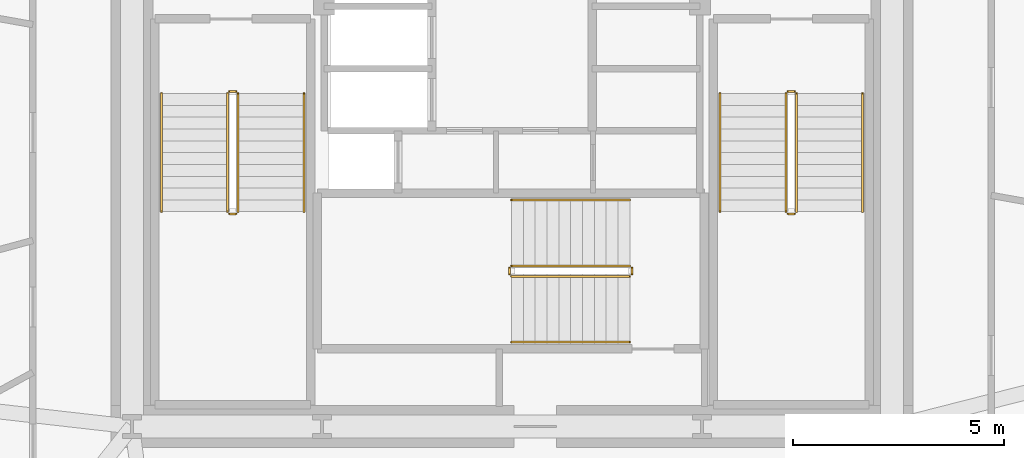
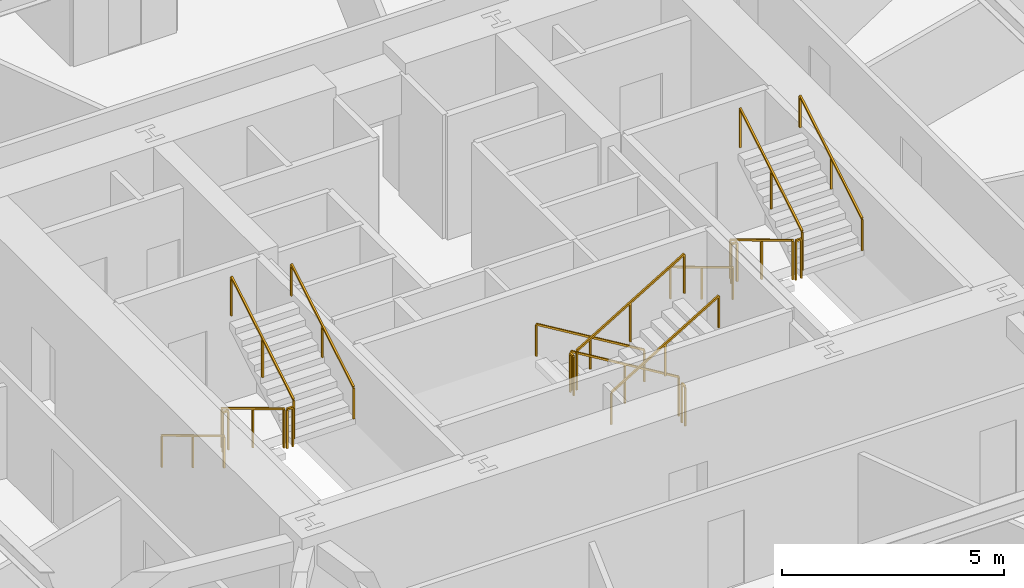
# One storey, part 9 of 10: 18 railings.
"""IFC4 building model written with IfcOpenShell, lengths in metres."""

from ifc_helpers import new_model, si_unit, direction, frame, origin, origin_2d, place, context, subcontext, project, spatial, rectangle, extrude, material, layer, layer_set, type_object, element, save


model = new_model("IFC4")

# Units and contexts
model_context = context("Model", 3, precision=1e-05, world=origin(), true_north=direction((0.0, 1.0)))
body_context = subcontext(model_context, "Body", "Model", "MODEL_VIEW")
ifc_project = project(units=[si_unit("LENGTHUNIT", "METRE"), si_unit("AREAUNIT", "SQUARE_METRE"), si_unit("VOLUMEUNIT", "CUBIC_METRE"), si_unit("PLANEANGLEUNIT", "RADIAN"), si_unit("MASSUNIT", "GRAM", prefix="KILO")], contexts=[model_context])

# Site, building, storey
site_placement = place(None, origin())
site = spatial("IfcSite", under=ifc_project, at=site_placement, CompositionType="ELEMENT")
building_placement = place(site_placement, origin())
building = spatial("IfcBuilding", under=site, at=building_placement, Name="Kilnhurst Terrace Hotel", CompositionType="ELEMENT")
storey_placement = place(building_placement, frame((0.0, 0.0, 63.800048828125)))
storey = spatial("IfcBuildingStorey", under=building, at=storey_placement, Name="L14", CompositionType="ELEMENT", Elevation=63.800048828125)

# Railings
ifc_material_1 = material(Name="Powder-Coated Steel ASTM A500 Grade B", Category="steel")
ifc_layer_1 = layer(ifc_material_1, 0.050048828125, Name="Powder-Coated Steel ASTM A500 Grade B")
ifc_layer_set_1 = layer_set([ifc_layer_1], Name="Powder-Coated Steel ASTM A500 Grade B")
railing_type_1 = type_object("IfcRailingType", Name="RLG-ST-GRD-1100", PredefinedType="GUARDRAIL", material=ifc_layer_set_1)
railing_1_placement = place(storey_placement, frame((-6.739990234375, 0.389892578125, 0.168212890625)))
element("IfcRailing", 1, at=railing_1_placement, inside=storey, type_object=railing_type_1, Name="L14 ST-1 stair guard 1", PredefinedType="GUARDRAIL", context=body_context, shape_type="SweptSolid", body=[
    extrude(rectangle(XDim=0.048095703125, YDim=0.048095703125, at=origin_2d()), frame((0.0, 0.0, 1.076171875), z_axis=(0.0, -0.857255387014, 0.514891446264), x_axis=(1.0, 0.0, 0.0)), (0.0, 0.0, 1.0), 3.26611328125),
    extrude(rectangle(XDim=0.0419921875, YDim=0.0419921875, at=origin_2d()), origin(), (0.0, 0.0, 1.0), 1.052001953125),
    extrude(rectangle(XDim=0.0419921875, YDim=0.0419921875, at=origin_2d()), frame((0.0, -1.39990234375, 0.8408203125)), (0.0, 0.0, 1.0), 1.052001953125),
    extrude(rectangle(XDim=0.0419921875, YDim=0.0419921875, at=origin_2d()), frame((0.0, -2.7998046875, 1.681640625)), (0.0, 0.0, 1.0), 1.052001953125),
])
railing_2_placement = place(storey_placement, frame((-6.68994140625, -2.4599609375, 1.849853515625)))
element("IfcRailing", 2, at=railing_2_placement, inside=storey, type_object=railing_type_1, Name="L14 ST-1 stair guard 2", PredefinedType="GUARDRAIL", context=body_context, shape_type="SweptSolid", body=[
    extrude(rectangle(XDim=0.048095703125, YDim=0.048095703125, at=origin_2d()), frame((0.0, 0.0, 1.076171875), z_axis=(1.0, 0.0, 0.0), x_axis=(0.0, 1.0, 0.0)), (0.0, 0.0, 1.0), 0.14990234375),
    extrude(rectangle(XDim=0.0419921875, YDim=0.0419921875, at=origin_2d()), origin(), (0.0, 0.0, 1.0), 1.052001953125),
    extrude(rectangle(XDim=0.0419921875, YDim=0.0419921875, at=origin_2d()), frame((0.14990234375, 0.0, 0.0)), (0.0, 0.0, 1.0), 1.052001953125),
])
railing_3_placement = place(storey_placement, frame((-6.489990234375, -2.409912109375, 2.01806640625)))
element("IfcRailing", 3, at=railing_3_placement, inside=storey, type_object=railing_type_1, Name="L14 ST-1 stair guard 3", PredefinedType="GUARDRAIL", context=body_context, shape_type="SweptSolid", body=[
    extrude(rectangle(XDim=0.048095703125, YDim=0.048095703125, at=origin_2d()), frame((0.0, 0.0, 1.076171875), z_axis=(0.0, 0.857222391501, 0.514946377315), x_axis=(-1.0, 0.0, 0.0)), (0.0, 0.0, 1.0), 3.26611328125),
    extrude(rectangle(XDim=0.0419921875, YDim=0.0419921875, at=origin_2d()), origin(), (0.0, 0.0, 1.0), 1.052001953125),
    extrude(rectangle(XDim=0.0419921875, YDim=0.0419921875, at=origin_2d()), frame((0.0, 1.39990234375, 0.8408203125)), (0.0, 0.0, 1.0), 1.052001953125),
    extrude(rectangle(XDim=0.0419921875, YDim=0.0419921875, at=origin_2d()), frame((0.0, 2.7998046875, 1.681884765625)), (0.0, 0.0, 1.0), 1.052001953125),
])
railing_4_placement = place(storey_placement, frame((-6.68994140625, 0.43994140625, 0.0)))
element("IfcRailing", 4, at=railing_4_placement, inside=storey, type_object=railing_type_1, Name="L14 ST-1 stair guard 4", PredefinedType="GUARDRAIL", context=body_context, shape_type="SweptSolid", body=[
    extrude(rectangle(XDim=0.048095703125, YDim=0.048095703125, at=origin_2d()), frame((0.0, 0.0, 1.076171875), z_axis=(1.0, 0.0, 0.0), x_axis=(0.0, 1.0, 0.0)), (0.0, 0.0, 1.0), 0.14990234375),
    extrude(rectangle(XDim=0.0419921875, YDim=0.0419921875, at=origin_2d()), origin(), (0.0, 0.0, 1.0), 1.052001953125),
    extrude(rectangle(XDim=0.0419921875, YDim=0.0419921875, at=origin_2d()), frame((0.14990234375, 0.0, 0.0)), (0.0, 0.0, 1.0), 1.052001953125),
])
railing_5_placement = place(storey_placement, frame((6.489990234375, 0.389892578125, 0.168212890625)))
element("IfcRailing", 5, at=railing_5_placement, inside=storey, type_object=railing_type_1, Name="L14 ST-2 stair guard 1", PredefinedType="GUARDRAIL", context=body_context, shape_type="SweptSolid", body=[
    extrude(rectangle(XDim=0.048095703125, YDim=0.048095703125, at=origin_2d()), frame((0.0, 0.0, 1.076171875), z_axis=(0.0, -0.857255387014, 0.514891446264), x_axis=(1.0, 0.0, 0.0)), (0.0, 0.0, 1.0), 3.26611328125),
    extrude(rectangle(XDim=0.0419921875, YDim=0.0419921875, at=origin_2d()), origin(), (0.0, 0.0, 1.0), 1.052001953125),
    extrude(rectangle(XDim=0.0419921875, YDim=0.0419921875, at=origin_2d()), frame((0.0, -1.39990234375, 0.8408203125)), (0.0, 0.0, 1.0), 1.052001953125),
    extrude(rectangle(XDim=0.0419921875, YDim=0.0419921875, at=origin_2d()), frame((0.0, -2.7998046875, 1.681640625)), (0.0, 0.0, 1.0), 1.052001953125),
])
railing_6_placement = place(storey_placement, frame((6.5400390625, -2.4599609375, 1.849853515625)))
element("IfcRailing", 6, at=railing_6_placement, inside=storey, type_object=railing_type_1, Name="L14 ST-2 stair guard 2", PredefinedType="GUARDRAIL", context=body_context, shape_type="SweptSolid", body=[
    extrude(rectangle(XDim=0.048095703125, YDim=0.048095703125, at=origin_2d()), frame((0.0, 0.0, 1.076171875), z_axis=(1.0, 0.0, 0.0), x_axis=(0.0, 1.0, 0.0)), (0.0, 0.0, 1.0), 0.14990234375),
    extrude(rectangle(XDim=0.0419921875, YDim=0.0419921875, at=origin_2d()), origin(), (0.0, 0.0, 1.0), 1.052001953125),
    extrude(rectangle(XDim=0.0419921875, YDim=0.0419921875, at=origin_2d()), frame((0.14990234375, 0.0, 0.0)), (0.0, 0.0, 1.0), 1.052001953125),
])
railing_7_placement = place(storey_placement, frame((6.739990234375, -2.409912109375, 2.01806640625)))
element("IfcRailing", 7, at=railing_7_placement, inside=storey, type_object=railing_type_1, Name="L14 ST-2 stair guard 3", PredefinedType="GUARDRAIL", context=body_context, shape_type="SweptSolid", body=[
    extrude(rectangle(XDim=0.048095703125, YDim=0.048095703125, at=origin_2d()), frame((0.0, 0.0, 1.076171875), z_axis=(0.0, 0.857222391501, 0.514946377315), x_axis=(-1.0, 0.0, 0.0)), (0.0, 0.0, 1.0), 3.26611328125),
    extrude(rectangle(XDim=0.0419921875, YDim=0.0419921875, at=origin_2d()), origin(), (0.0, 0.0, 1.0), 1.052001953125),
    extrude(rectangle(XDim=0.0419921875, YDim=0.0419921875, at=origin_2d()), frame((0.0, 1.39990234375, 0.8408203125)), (0.0, 0.0, 1.0), 1.052001953125),
    extrude(rectangle(XDim=0.0419921875, YDim=0.0419921875, at=origin_2d()), frame((0.0, 2.7998046875, 1.681884765625)), (0.0, 0.0, 1.0), 1.052001953125),
])
railing_8_placement = place(storey_placement, frame((6.5400390625, 0.43994140625, 0.0)))
element("IfcRailing", 8, at=railing_8_placement, inside=storey, type_object=railing_type_1, Name="L14 ST-2 stair guard 4", PredefinedType="GUARDRAIL", context=body_context, shape_type="SweptSolid", body=[
    extrude(rectangle(XDim=0.048095703125, YDim=0.048095703125, at=origin_2d()), frame((0.0, 0.0, 1.076171875), z_axis=(1.0, 0.0, 0.0), x_axis=(0.0, 1.0, 0.0)), (0.0, 0.0, 1.0), 0.14990234375),
    extrude(rectangle(XDim=0.0419921875, YDim=0.0419921875, at=origin_2d()), origin(), (0.0, 0.0, 1.0), 1.052001953125),
    extrude(rectangle(XDim=0.0419921875, YDim=0.0419921875, at=origin_2d()), frame((0.14990234375, 0.0, 0.0)), (0.0, 0.0, 1.0), 1.052001953125),
])
railing_9_placement = place(storey_placement, frame((2.7900390625, -3.68994140625, 0.168212890625)))
element("IfcRailing", 9, at=railing_9_placement, inside=storey, type_object=railing_type_1, Name="L14 ST-3 stair guard 1", PredefinedType="GUARDRAIL", context=body_context, shape_type="SweptSolid", body=[
    extrude(rectangle(XDim=0.048095703125, YDim=0.048095703125, at=origin_2d()), frame((0.0, 0.0, 1.076171875), z_axis=(-0.857275202839, 0.0, 0.514858452973), x_axis=(0.0, -1.0, 0.0)), (0.0, 0.0, 1.0), 3.26611328125),
    extrude(rectangle(XDim=0.0419921875, YDim=0.0419921875, at=origin_2d()), origin(), (0.0, 0.0, 1.0), 1.052001953125),
    extrude(rectangle(XDim=0.0419921875, YDim=0.0419921875, at=origin_2d()), frame((-1.39990234375, 0.0, 0.8408203125)), (0.0, 0.0, 1.0), 1.052001953125),
    extrude(rectangle(XDim=0.0419921875, YDim=0.0419921875, at=origin_2d()), frame((-2.800048828125, 0.0, 1.681640625)), (0.0, 0.0, 1.0), 1.052001953125),
])
railing_10_placement = place(storey_placement, frame((-0.06005859375, -3.739990234375, 1.849853515625)))
element("IfcRailing", 10, at=railing_10_placement, inside=storey, type_object=railing_type_1, Name="L14 ST-3 stair guard 2", PredefinedType="GUARDRAIL", context=body_context, shape_type="SweptSolid", body=[
    extrude(rectangle(XDim=0.048095703125, YDim=0.048095703125, at=origin_2d()), frame((0.0, 0.0, 1.076171875), z_axis=(0.0, -1.0, 0.0), x_axis=(1.0, 0.0, 0.0)), (0.0, 0.0, 1.0), 0.14990234375),
    extrude(rectangle(XDim=0.0419921875, YDim=0.0419921875, at=origin_2d()), origin(), (0.0, 0.0, 1.0), 1.052001953125),
    extrude(rectangle(XDim=0.0419921875, YDim=0.0419921875, at=origin_2d()), frame((0.0, -0.14990234375, 0.0)), (0.0, 0.0, 1.0), 1.052001953125),
])
railing_11_placement = place(storey_placement, frame((-0.010009765625, -3.93994140625, 2.01806640625)))
element("IfcRailing", 11, at=railing_11_placement, inside=storey, type_object=railing_type_1, Name="L14 ST-3 stair guard 3", PredefinedType="GUARDRAIL", context=body_context, shape_type="SweptSolid", body=[
    extrude(rectangle(XDim=0.048095703125, YDim=0.048095703125, at=origin_2d()), frame((0.0, 0.0, 1.076171875), z_axis=(0.857242210791, 0.0, 0.514913383045), x_axis=(0.0, 1.0, 0.0)), (0.0, 0.0, 1.0), 3.266357421875),
    extrude(rectangle(XDim=0.0419921875, YDim=0.0419921875, at=origin_2d()), origin(), (0.0, 0.0, 1.0), 1.052001953125),
    extrude(rectangle(XDim=0.0419921875, YDim=0.0419921875, at=origin_2d()), frame((1.39990234375, 0.0, 0.8408203125)), (0.0, 0.0, 1.0), 1.052001953125),
    extrude(rectangle(XDim=0.0419921875, YDim=0.0419921875, at=origin_2d()), frame((2.800048828125, 0.0, 1.681884765625)), (0.0, 0.0, 1.0), 1.052001953125),
])
railing_12_placement = place(storey_placement, frame((2.840087890625, -3.739990234375, 0.0)))
element("IfcRailing", 12, at=railing_12_placement, inside=storey, type_object=railing_type_1, Name="L14 ST-3 stair guard 4", PredefinedType="GUARDRAIL", context=body_context, shape_type="SweptSolid", body=[
    extrude(rectangle(XDim=0.048095703125, YDim=0.048095703125, at=origin_2d()), frame((0.0, 0.0, 1.076171875), z_axis=(0.0, -1.0, 0.0), x_axis=(1.0, 0.0, 0.0)), (0.0, 0.0, 1.0), 0.14990234375),
    extrude(rectangle(XDim=0.0419921875, YDim=0.0419921875, at=origin_2d()), origin(), (0.0, 0.0, 1.0), 1.052001953125),
    extrude(rectangle(XDim=0.0419921875, YDim=0.0419921875, at=origin_2d()), frame((0.0, -0.14990234375, 0.0)), (0.0, 0.0, 1.0), 1.052001953125),
])
ifc_material_2 = material(Name="Brushed Stainless Steel AISI 304", Category="steel")
ifc_layer_2 = layer(ifc_material_2, 0.048095703125, Name="Brushed Stainless Steel AISI 304")
ifc_layer_set_2 = layer_set([ifc_layer_2], Name="Brushed Stainless Steel AISI 304")
railing_type_2 = type_object("IfcRailingType", Name="RLG-ST-HRL-900", PredefinedType="HANDRAIL", material=ifc_layer_set_2)
railing_13_placement = place(storey_placement, frame((-8.300048828125, 0.389892578125, 0.168212890625)))
element("IfcRailing", 13, at=railing_13_placement, inside=storey, type_object=railing_type_2, Name="L14 ST-1 stair handrail 1", PredefinedType="HANDRAIL", context=body_context, shape_type="SweptSolid", body=[
    extrude(rectangle(XDim=0.048095703125, YDim=0.048095703125, at=origin_2d()), frame((0.0, 0.0, 0.8759765625), z_axis=(0.0, -0.857255387014, 0.514891446264), x_axis=(1.0, 0.0, 0.0)), (0.0, 0.0, 1.0), 3.26611328125),
    extrude(rectangle(XDim=0.0419921875, YDim=0.0419921875, at=origin_2d()), origin(), (0.0, 0.0, 1.0), 0.851806640625),
    extrude(rectangle(XDim=0.0419921875, YDim=0.0419921875, at=origin_2d()), frame((0.0, -1.39990234375, 0.8408203125)), (0.0, 0.0, 1.0), 0.851806640625),
    extrude(rectangle(XDim=0.0419921875, YDim=0.0419921875, at=origin_2d()), frame((0.0, -2.7998046875, 1.681640625)), (0.0, 0.0, 1.0), 0.851806640625),
])
railing_14_placement = place(storey_placement, frame((-4.929931640625, -2.409912109375, 2.01806640625)))
element("IfcRailing", 14, at=railing_14_placement, inside=storey, type_object=railing_type_2, Name="L14 ST-1 stair handrail 2", PredefinedType="HANDRAIL", context=body_context, shape_type="SweptSolid", body=[
    extrude(rectangle(XDim=0.048095703125, YDim=0.048095703125, at=origin_2d()), frame((0.0, 0.0, 0.8759765625), z_axis=(0.0, 0.857222391501, 0.514946377315), x_axis=(-1.0, 0.0, 0.0)), (0.0, 0.0, 1.0), 3.26611328125),
    extrude(rectangle(XDim=0.0419921875, YDim=0.0419921875, at=origin_2d()), origin(), (0.0, 0.0, 1.0), 0.851806640625),
    extrude(rectangle(XDim=0.0419921875, YDim=0.0419921875, at=origin_2d()), frame((0.0, 1.39990234375, 0.8408203125)), (0.0, 0.0, 1.0), 0.851806640625),
    extrude(rectangle(XDim=0.0419921875, YDim=0.0419921875, at=origin_2d()), frame((0.0, 2.7998046875, 1.681884765625)), (0.0, 0.0, 1.0), 0.851806640625),
])
railing_15_placement = place(storey_placement, frame((4.929931640625, 0.389892578125, 0.168212890625)))
element("IfcRailing", 15, at=railing_15_placement, inside=storey, type_object=railing_type_2, Name="L14 ST-2 stair handrail 1", PredefinedType="HANDRAIL", context=body_context, shape_type="SweptSolid", body=[
    extrude(rectangle(XDim=0.048095703125, YDim=0.048095703125, at=origin_2d()), frame((0.0, 0.0, 0.8759765625), z_axis=(0.0, -0.857255387014, 0.514891446264), x_axis=(1.0, 0.0, 0.0)), (0.0, 0.0, 1.0), 3.26611328125),
    extrude(rectangle(XDim=0.0419921875, YDim=0.0419921875, at=origin_2d()), origin(), (0.0, 0.0, 1.0), 0.851806640625),
    extrude(rectangle(XDim=0.0419921875, YDim=0.0419921875, at=origin_2d()), frame((0.0, -1.39990234375, 0.8408203125)), (0.0, 0.0, 1.0), 0.851806640625),
    extrude(rectangle(XDim=0.0419921875, YDim=0.0419921875, at=origin_2d()), frame((0.0, -2.7998046875, 1.681640625)), (0.0, 0.0, 1.0), 0.851806640625),
])
railing_16_placement = place(storey_placement, frame((8.300048828125, -2.409912109375, 2.01806640625)))
element("IfcRailing", 16, at=railing_16_placement, inside=storey, type_object=railing_type_2, Name="L14 ST-2 stair handrail 2", PredefinedType="HANDRAIL", context=body_context, shape_type="SweptSolid", body=[
    extrude(rectangle(XDim=0.048095703125, YDim=0.048095703125, at=origin_2d()), frame((0.0, 0.0, 0.8759765625), z_axis=(0.0, 0.857222391501, 0.514946377315), x_axis=(-1.0, 0.0, 0.0)), (0.0, 0.0, 1.0), 3.26611328125),
    extrude(rectangle(XDim=0.0419921875, YDim=0.0419921875, at=origin_2d()), origin(), (0.0, 0.0, 1.0), 0.851806640625),
    extrude(rectangle(XDim=0.0419921875, YDim=0.0419921875, at=origin_2d()), frame((0.0, 1.39990234375, 0.8408203125)), (0.0, 0.0, 1.0), 0.851806640625),
    extrude(rectangle(XDim=0.0419921875, YDim=0.0419921875, at=origin_2d()), frame((0.0, 2.7998046875, 1.681884765625)), (0.0, 0.0, 1.0), 0.851806640625),
])
railing_17_placement = place(storey_placement, frame((2.7900390625, -2.1298828125, 0.168212890625)))
element("IfcRailing", 17, at=railing_17_placement, inside=storey, type_object=railing_type_2, Name="L14 ST-3 stair handrail 1", PredefinedType="HANDRAIL", context=body_context, shape_type="SweptSolid", body=[
    extrude(rectangle(XDim=0.048095703125, YDim=0.048095703125, at=origin_2d()), frame((0.0, 0.0, 0.8759765625), z_axis=(-0.857275202839, 0.0, 0.514858452973), x_axis=(0.0, -1.0, 0.0)), (0.0, 0.0, 1.0), 3.26611328125),
    extrude(rectangle(XDim=0.0419921875, YDim=0.0419921875, at=origin_2d()), origin(), (0.0, 0.0, 1.0), 0.851806640625),
    extrude(rectangle(XDim=0.0419921875, YDim=0.0419921875, at=origin_2d()), frame((-1.39990234375, 0.0, 0.8408203125)), (0.0, 0.0, 1.0), 0.851806640625),
    extrude(rectangle(XDim=0.0419921875, YDim=0.0419921875, at=origin_2d()), frame((-2.800048828125, 0.0, 1.681640625)), (0.0, 0.0, 1.0), 0.851806640625),
])
railing_18_placement = place(storey_placement, frame((-0.010009765625, -5.5, 2.01806640625)))
element("IfcRailing", 18, at=railing_18_placement, inside=storey, type_object=railing_type_2, Name="L14 ST-3 stair handrail 2", PredefinedType="HANDRAIL", context=body_context, shape_type="SweptSolid", body=[
    extrude(rectangle(XDim=0.048095703125, YDim=0.048095703125, at=origin_2d()), frame((0.0, 0.0, 0.8759765625), z_axis=(0.857242210791, 0.0, 0.514913383045), x_axis=(0.0, 1.0, 0.0)), (0.0, 0.0, 1.0), 3.266357421875),
    extrude(rectangle(XDim=0.0419921875, YDim=0.0419921875, at=origin_2d()), origin(), (0.0, 0.0, 1.0), 0.851806640625),
    extrude(rectangle(XDim=0.0419921875, YDim=0.0419921875, at=origin_2d()), frame((1.39990234375, 0.0, 0.8408203125)), (0.0, 0.0, 1.0), 0.851806640625),
    extrude(rectangle(XDim=0.0419921875, YDim=0.0419921875, at=origin_2d()), frame((2.800048828125, 0.0, 1.681884765625)), (0.0, 0.0, 1.0), 0.851806640625),
])

save(model, "model.ifc")
